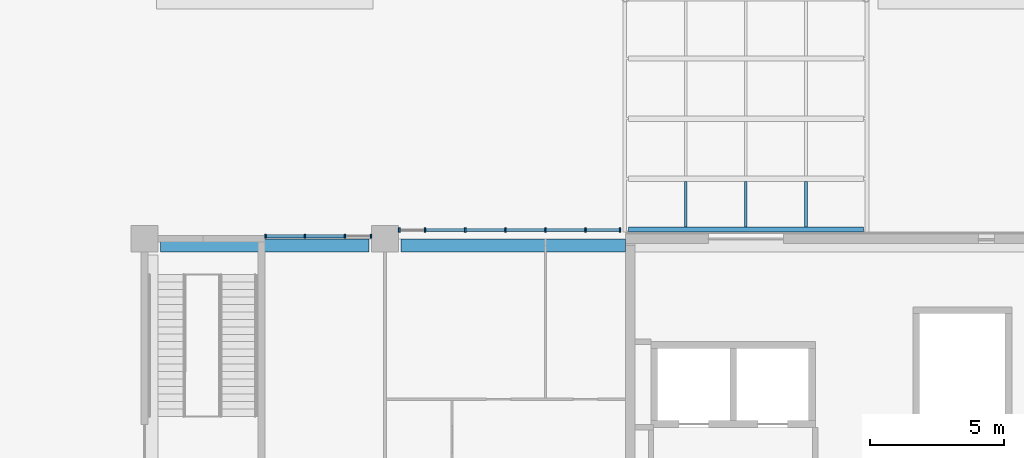
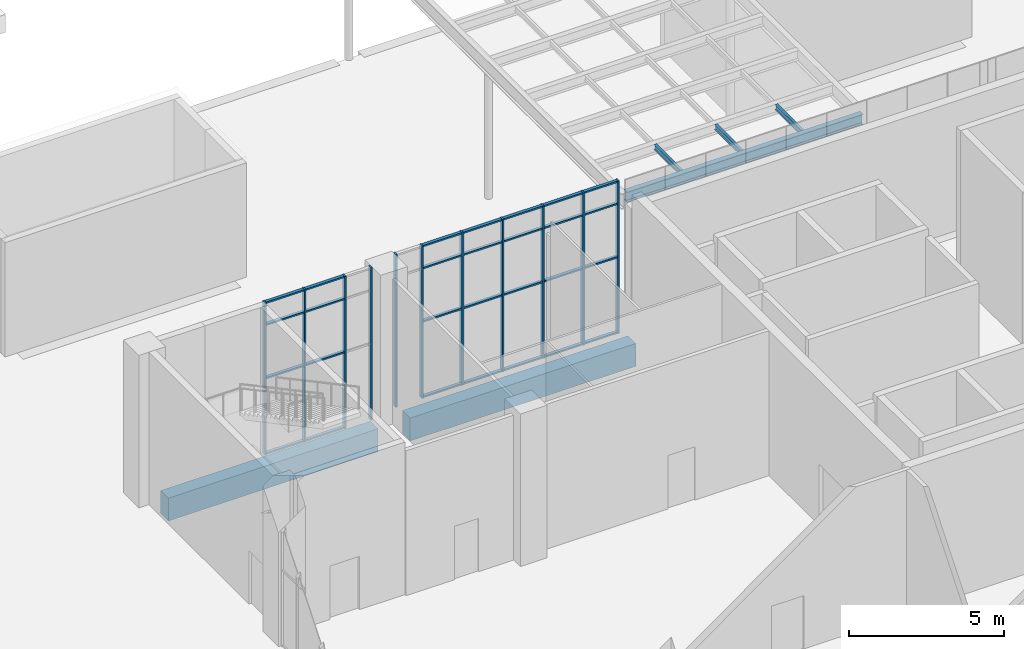
# One storey, part 27 of 86: 42 members, 3 beams, 2 elements without a shape of their own.
"""IFC4 building model written with IfcOpenShell, lengths in metres."""

from ifc_helpers import new_model, si_unit, direction, frame, origin, origin_2d, place, context, subcontext, project, spatial, rectangle, i_section, extrude, material, layer, layer_set, material_profile, profile_set, type_object, element, aggregate, save


model = new_model("IFC4")

# Units and contexts
model_context = context("Model", 3, precision=1e-05, world=origin(), true_north=direction((0.0, 1.0)))
body_context = subcontext(model_context, "Body", "Model", "MODEL_VIEW")
ifc_project = project(units=[si_unit("LENGTHUNIT", "METRE"), si_unit("AREAUNIT", "SQUARE_METRE"), si_unit("VOLUMEUNIT", "CUBIC_METRE"), si_unit("PLANEANGLEUNIT", "RADIAN"), si_unit("MASSUNIT", "GRAM", prefix="KILO")], contexts=[model_context])

# Site, building, storey
site_placement = place(None, origin())
site = spatial("IfcSite", under=ifc_project, at=site_placement, CompositionType="ELEMENT")
building_placement = place(site_placement, origin())
building = spatial("IfcBuilding", under=site, at=building_placement, Name="Guidao Yard Department Store", CompositionType="ELEMENT")
storey_placement = place(building_placement, origin())
storey = spatial("IfcBuildingStorey", under=building, at=storey_placement, Name="L00", CompositionType="ELEMENT", Elevation=0.0)

# Beams
ifc_material_1 = material(Name="Concrete C40", Category="concrete")
ifc_material_profile_1 = material_profile(ifc_material_1, rectangle(XDim=0.5, YDim=0.89990234375, at=origin_2d()), Name="Edge beam 500 x 900 C40")
ifc_profile_set_1 = profile_set([ifc_material_profile_1], Name="Concrete C40")
beam_type_1 = type_object("IfcBeamType", Name="Edge beam 500 x 900 C40", PredefinedType="BEAM", material=ifc_profile_set_1)
beam_1_placement = place(storey_placement, frame((126.60009765625, 26.75, -0.449951171875), z_axis=(1.0, 0.0, 0.0), x_axis=(0.0, 1.0, 0.0)))
element("IfcBeam", 1, at=beam_1_placement, inside=storey, type_object=beam_type_1, Name="Beam FB01", PredefinedType="BEAM", context=body_context, shape_type="SweptSolid", body=[
    extrude(rectangle(XDim=0.5, YDim=0.89990234375, at=origin_2d()), origin(), (0.0, 0.0, 1.0), 7.7998046875),
])
beam_2_placement = place(storey_placement, frame((135.60009765625, 26.75, -0.449951171875), z_axis=(1.0, 0.0, 0.0), x_axis=(0.0, 1.0, 0.0)))
element("IfcBeam", 2, at=beam_2_placement, inside=storey, type_object=beam_type_1, Name="Beam FB02", PredefinedType="BEAM", context=body_context, shape_type="SweptSolid", body=[
    extrude(rectangle(XDim=0.5, YDim=0.89990234375, at=origin_2d()), origin(), (0.0, 0.0, 1.0), 8.39990234375),
])

# Curtain wall, members
ifc_material_2 = material(Name="Aluminium and glass", Category="aluminium")
ifc_layer = layer(ifc_material_2, 0.159912109375)
ifc_layer_set = layer_set([ifc_layer], Name="Unitised curtain wall CW4 1500 module")
curtain_wall_type = type_object("IfcCurtainWallType", Name="Unitised curtain wall CW4 1500 module", PredefinedType="NOTDEFINED", material=ifc_layer_set)
curtain_wall_1_placement = place(storey_placement, origin())
curtain_wall_1 = element("IfcCurtainWall", 3, at=curtain_wall_1_placement, inside=storey, type_object=curtain_wall_type, Name="Unitised curtain wall", PredefinedType="NOTDEFINED")
ifc_material_3 = material(Name="Aluminium 6063-T5", Category="aluminium")
ifc_material_profile_2 = material_profile(ifc_material_3, rectangle(XDim=0.06005859375, YDim=0.159912109375, at=origin_2d()), Name="Mullion M1 60 x 160 aluminium pressure plate")
ifc_profile_set_2 = profile_set([ifc_material_profile_2], Name="Aluminium 6063-T5")
member_type_1 = type_object("IfcMemberType", Name="Mullion M1 60 x 160 aluminium pressure plate", PredefinedType="MULLION", material=ifc_profile_set_2)
member_1_placement = place(storey_placement, frame((130.530029296875, 27.10009765625, 0.0), z_axis=(0.0, 0.0, 1.0), x_axis=(1.0, 0.0, 0.0)))
member_1 = element("IfcMember", 4, at=member_1_placement, type_object=member_type_1, Name="CW-OW-L00-05 mullion 1", PredefinedType="MULLION", context=body_context, shape_type="SweptSolid", body=[
    extrude(rectangle(XDim=0.06005859375, YDim=0.159912109375, at=origin_2d()), origin(), (0.0, 0.0, 1.0), 6.0),
])
member_2_placement = place(storey_placement, frame((132.0, 27.10009765625, 0.0), z_axis=(0.0, 0.0, 1.0), x_axis=(1.0, 0.0, 0.0)))
member_2 = element("IfcMember", 5, at=member_2_placement, type_object=member_type_1, Name="CW-OW-L00-05 mullion 2", PredefinedType="MULLION", context=body_context, shape_type="SweptSolid", body=[
    extrude(rectangle(XDim=0.06005859375, YDim=0.159912109375, at=origin_2d()), origin(), (0.0, 0.0, 1.0), 6.0),
])
member_3_placement = place(storey_placement, frame((133.5, 27.10009765625, 0.0), z_axis=(0.0, 0.0, 1.0), x_axis=(1.0, 0.0, 0.0)))
member_3 = element("IfcMember", 6, at=member_3_placement, type_object=member_type_1, Name="CW-OW-L00-05 mullion 3", PredefinedType="MULLION", context=body_context, shape_type="SweptSolid", body=[
    extrude(rectangle(XDim=0.06005859375, YDim=0.159912109375, at=origin_2d()), origin(), (0.0, 0.0, 1.0), 6.0),
])
member_4_placement = place(storey_placement, frame((134.469970703125, 27.10009765625, 0.0), z_axis=(0.0, 0.0, 1.0), x_axis=(1.0, 0.0, 0.0)))
member_4 = element("IfcMember", 7, at=member_4_placement, type_object=member_type_1, Name="CW-OW-L00-05 mullion 4", PredefinedType="MULLION", context=body_context, shape_type="SweptSolid", body=[
    extrude(rectangle(XDim=0.06005859375, YDim=0.159912109375, at=origin_2d()), origin(), (0.0, 0.0, 1.0), 6.0),
])

curtain_wall_2_placement = place(storey_placement, origin())
curtain_wall_2 = element("IfcCurtainWall", 8, at=curtain_wall_2_placement, inside=storey, type_object=curtain_wall_type, Name="Unitised curtain wall", PredefinedType="NOTDEFINED")
member_5_placement = place(storey_placement, frame((135.530029296875, 27.330078125, 0.0), z_axis=(0.0, 0.0, 1.0), x_axis=(1.0, 0.0, 0.0)))
member_5 = element("IfcMember", 9, at=member_5_placement, type_object=member_type_1, Name="CW-OW-L00-06 mullion 1", PredefinedType="MULLION", context=body_context, shape_type="SweptSolid", body=[
    extrude(rectangle(XDim=0.06005859375, YDim=0.159912109375, at=origin_2d()), origin(), (0.0, 0.0, 1.0), 6.0),
])
member_6_placement = place(storey_placement, frame((136.5, 27.330078125, 0.0), z_axis=(0.0, 0.0, 1.0), x_axis=(1.0, 0.0, 0.0)))
member_6 = element("IfcMember", 10, at=member_6_placement, type_object=member_type_1, Name="CW-OW-L00-06 mullion 2", PredefinedType="MULLION", context=body_context, shape_type="SweptSolid", body=[
    extrude(rectangle(XDim=0.06005859375, YDim=0.159912109375, at=origin_2d()), origin(), (0.0, 0.0, 1.0), 6.0),
])
member_7_placement = place(storey_placement, frame((138.0, 27.330078125, 0.0), z_axis=(0.0, 0.0, 1.0), x_axis=(1.0, 0.0, 0.0)))
member_7 = element("IfcMember", 11, at=member_7_placement, type_object=member_type_1, Name="CW-OW-L00-06 mullion 3", PredefinedType="MULLION", context=body_context, shape_type="SweptSolid", body=[
    extrude(rectangle(XDim=0.06005859375, YDim=0.159912109375, at=origin_2d()), origin(), (0.0, 0.0, 1.0), 6.0),
])
member_8_placement = place(storey_placement, frame((139.5, 27.330078125, 0.0), z_axis=(0.0, 0.0, 1.0), x_axis=(1.0, 0.0, 0.0)))
member_8 = element("IfcMember", 12, at=member_8_placement, type_object=member_type_1, Name="CW-OW-L00-06 mullion 4", PredefinedType="MULLION", context=body_context, shape_type="SweptSolid", body=[
    extrude(rectangle(XDim=0.06005859375, YDim=0.159912109375, at=origin_2d()), origin(), (0.0, 0.0, 1.0), 6.0),
])
member_9_placement = place(storey_placement, frame((141.0, 27.330078125, 0.0), z_axis=(0.0, 0.0, 1.0), x_axis=(1.0, 0.0, 0.0)))
member_9 = element("IfcMember", 13, at=member_9_placement, type_object=member_type_1, Name="CW-OW-L00-06 mullion 5", PredefinedType="MULLION", context=body_context, shape_type="SweptSolid", body=[
    extrude(rectangle(XDim=0.06005859375, YDim=0.159912109375, at=origin_2d()), origin(), (0.0, 0.0, 1.0), 6.0),
])
member_10_placement = place(storey_placement, frame((142.5, 27.330078125, 0.0), z_axis=(0.0, 0.0, 1.0), x_axis=(1.0, 0.0, 0.0)))
member_10 = element("IfcMember", 14, at=member_10_placement, type_object=member_type_1, Name="CW-OW-L00-06 mullion 6", PredefinedType="MULLION", context=body_context, shape_type="SweptSolid", body=[
    extrude(rectangle(XDim=0.06005859375, YDim=0.159912109375, at=origin_2d()), origin(), (0.0, 0.0, 1.0), 6.0),
])
member_11_placement = place(storey_placement, frame((143.794921875, 27.330078125, 0.0), z_axis=(0.0, 0.0, 1.0), x_axis=(1.0, 0.0, 0.0)))
member_11 = element("IfcMember", 15, at=member_11_placement, type_object=member_type_1, Name="CW-OW-L00-06 mullion 7", PredefinedType="MULLION", context=body_context, shape_type="SweptSolid", body=[
    extrude(rectangle(XDim=0.06005859375, YDim=0.159912109375, at=origin_2d()), origin(), (0.0, 0.0, 1.0), 6.0),
])

# Member
ifc_material_4 = material(Name="Aluminium 6063-T5", Category="aluminium")
ifc_material_profile_3 = material_profile(ifc_material_4, rectangle(XDim=0.1201171875, YDim=0.06005859375, at=origin_2d()), Name="Transom T1 60 x 120 aluminium pressure plate")
ifc_profile_set_3 = profile_set([ifc_material_profile_3], Name="Aluminium 6063-T5")
member_type_2 = type_object("IfcMemberType", Name="Transom T1 60 x 120 aluminium pressure plate", PredefinedType="USERDEFINED", material=ifc_profile_set_3)
member_12_placement = place(storey_placement, frame((130.56005859375, 27.10009765625, 0.030029296875), z_axis=(1.0, 0.0, 0.0), x_axis=(0.0, 1.0, 0.0)))
member_12 = element("IfcMember", 16, at=member_12_placement, type_object=member_type_2, Name="CW-OW-L00-05 transom 1.1", ObjectType="TRANSOM", PredefinedType="USERDEFINED", context=body_context, shape_type="SweptSolid", body=[
    extrude(rectangle(XDim=0.1201171875, YDim=0.06005859375, at=origin_2d()), origin(), (0.0, 0.0, 1.0), 1.409912109375),
])

member_13_placement = place(storey_placement, frame((130.56005859375, 27.10009765625, 3.0), z_axis=(1.0, 0.0, 0.0), x_axis=(0.0, 1.0, 0.0)))
member_13 = element("IfcMember", 17, at=member_13_placement, type_object=member_type_2, Name="CW-OW-L00-05 transom 1.2", ObjectType="TRANSOM", PredefinedType="USERDEFINED", context=body_context, shape_type="SweptSolid", body=[
    extrude(rectangle(XDim=0.1201171875, YDim=0.06005859375, at=origin_2d()), origin(), (0.0, 0.0, 1.0), 1.409912109375),
])

member_14_placement = place(storey_placement, frame((130.56005859375, 27.10009765625, 5.10009765625), z_axis=(1.0, 0.0, 0.0), x_axis=(0.0, 1.0, 0.0)))
member_14 = element("IfcMember", 18, at=member_14_placement, type_object=member_type_2, Name="CW-OW-L00-05 transom 1.3", ObjectType="TRANSOM", PredefinedType="USERDEFINED", context=body_context, shape_type="SweptSolid", body=[
    extrude(rectangle(XDim=0.1201171875, YDim=0.06005859375, at=origin_2d()), origin(), (0.0, 0.0, 1.0), 1.409912109375),
])

member_15_placement = place(storey_placement, frame((130.56005859375, 27.10009765625, 5.969970703125), z_axis=(1.0, 0.0, 0.0), x_axis=(0.0, 1.0, 0.0)))
member_15 = element("IfcMember", 19, at=member_15_placement, type_object=member_type_2, Name="CW-OW-L00-05 transom 1.4", ObjectType="TRANSOM", PredefinedType="USERDEFINED", context=body_context, shape_type="SweptSolid", body=[
    extrude(rectangle(XDim=0.1201171875, YDim=0.06005859375, at=origin_2d()), origin(), (0.0, 0.0, 1.0), 1.409912109375),
])

member_16_placement = place(storey_placement, frame((132.030029296875, 27.10009765625, 0.030029296875), z_axis=(1.0, 0.0, 0.0), x_axis=(0.0, 1.0, 0.0)))
member_16 = element("IfcMember", 20, at=member_16_placement, type_object=member_type_2, Name="CW-OW-L00-05 transom 2.1", ObjectType="TRANSOM", PredefinedType="USERDEFINED", context=body_context, shape_type="SweptSolid", body=[
    extrude(rectangle(XDim=0.1201171875, YDim=0.06005859375, at=origin_2d()), origin(), (0.0, 0.0, 1.0), 1.43994140625),
])

member_17_placement = place(storey_placement, frame((132.030029296875, 27.10009765625, 3.0), z_axis=(1.0, 0.0, 0.0), x_axis=(0.0, 1.0, 0.0)))
member_17 = element("IfcMember", 21, at=member_17_placement, type_object=member_type_2, Name="CW-OW-L00-05 transom 2.2", ObjectType="TRANSOM", PredefinedType="USERDEFINED", context=body_context, shape_type="SweptSolid", body=[
    extrude(rectangle(XDim=0.1201171875, YDim=0.06005859375, at=origin_2d()), origin(), (0.0, 0.0, 1.0), 1.43994140625),
])

member_18_placement = place(storey_placement, frame((132.030029296875, 27.10009765625, 5.10009765625), z_axis=(1.0, 0.0, 0.0), x_axis=(0.0, 1.0, 0.0)))
member_18 = element("IfcMember", 22, at=member_18_placement, type_object=member_type_2, Name="CW-OW-L00-05 transom 2.3", ObjectType="TRANSOM", PredefinedType="USERDEFINED", context=body_context, shape_type="SweptSolid", body=[
    extrude(rectangle(XDim=0.1201171875, YDim=0.06005859375, at=origin_2d()), origin(), (0.0, 0.0, 1.0), 1.43994140625),
])

member_19_placement = place(storey_placement, frame((132.030029296875, 27.10009765625, 5.969970703125), z_axis=(1.0, 0.0, 0.0), x_axis=(0.0, 1.0, 0.0)))
member_19 = element("IfcMember", 23, at=member_19_placement, type_object=member_type_2, Name="CW-OW-L00-05 transom 2.4", ObjectType="TRANSOM", PredefinedType="USERDEFINED", context=body_context, shape_type="SweptSolid", body=[
    extrude(rectangle(XDim=0.1201171875, YDim=0.06005859375, at=origin_2d()), origin(), (0.0, 0.0, 1.0), 1.43994140625),
])

aggregate(curtain_wall_1, [member_1, member_2, member_3, member_4, member_12, member_13, member_14, member_15, member_16, member_17, member_18, member_19])

member_20_placement = place(storey_placement, frame((136.530029296875, 27.330078125, 0.030029296875), z_axis=(1.0, 0.0, 0.0), x_axis=(0.0, 1.0, 0.0)))
member_20 = element("IfcMember", 24, at=member_20_placement, type_object=member_type_2, Name="CW-OW-L00-06 transom 2.1", ObjectType="TRANSOM", PredefinedType="USERDEFINED", context=body_context, shape_type="SweptSolid", body=[
    extrude(rectangle(XDim=0.1201171875, YDim=0.06005859375, at=origin_2d()), origin(), (0.0, 0.0, 1.0), 1.43994140625),
])

member_21_placement = place(storey_placement, frame((136.530029296875, 27.330078125, 3.0), z_axis=(1.0, 0.0, 0.0), x_axis=(0.0, 1.0, 0.0)))
member_21 = element("IfcMember", 25, at=member_21_placement, type_object=member_type_2, Name="CW-OW-L00-06 transom 2.2", ObjectType="TRANSOM", PredefinedType="USERDEFINED", context=body_context, shape_type="SweptSolid", body=[
    extrude(rectangle(XDim=0.1201171875, YDim=0.06005859375, at=origin_2d()), origin(), (0.0, 0.0, 1.0), 1.43994140625),
])

member_22_placement = place(storey_placement, frame((136.530029296875, 27.330078125, 5.10009765625), z_axis=(1.0, 0.0, 0.0), x_axis=(0.0, 1.0, 0.0)))
member_22 = element("IfcMember", 26, at=member_22_placement, type_object=member_type_2, Name="CW-OW-L00-06 transom 2.3", ObjectType="TRANSOM", PredefinedType="USERDEFINED", context=body_context, shape_type="SweptSolid", body=[
    extrude(rectangle(XDim=0.1201171875, YDim=0.06005859375, at=origin_2d()), origin(), (0.0, 0.0, 1.0), 1.43994140625),
])

member_23_placement = place(storey_placement, frame((136.530029296875, 27.330078125, 5.969970703125), z_axis=(1.0, 0.0, 0.0), x_axis=(0.0, 1.0, 0.0)))
member_23 = element("IfcMember", 27, at=member_23_placement, type_object=member_type_2, Name="CW-OW-L00-06 transom 2.4", ObjectType="TRANSOM", PredefinedType="USERDEFINED", context=body_context, shape_type="SweptSolid", body=[
    extrude(rectangle(XDim=0.1201171875, YDim=0.06005859375, at=origin_2d()), origin(), (0.0, 0.0, 1.0), 1.43994140625),
])

member_24_placement = place(storey_placement, frame((138.030029296875, 27.330078125, 0.030029296875), z_axis=(1.0, 0.0, 0.0), x_axis=(0.0, 1.0, 0.0)))
member_24 = element("IfcMember", 28, at=member_24_placement, type_object=member_type_2, Name="CW-OW-L00-06 transom 3.1", ObjectType="TRANSOM", PredefinedType="USERDEFINED", context=body_context, shape_type="SweptSolid", body=[
    extrude(rectangle(XDim=0.1201171875, YDim=0.06005859375, at=origin_2d()), origin(), (0.0, 0.0, 1.0), 1.43994140625),
])

member_25_placement = place(storey_placement, frame((138.030029296875, 27.330078125, 3.0), z_axis=(1.0, 0.0, 0.0), x_axis=(0.0, 1.0, 0.0)))
member_25 = element("IfcMember", 29, at=member_25_placement, type_object=member_type_2, Name="CW-OW-L00-06 transom 3.2", ObjectType="TRANSOM", PredefinedType="USERDEFINED", context=body_context, shape_type="SweptSolid", body=[
    extrude(rectangle(XDim=0.1201171875, YDim=0.06005859375, at=origin_2d()), origin(), (0.0, 0.0, 1.0), 1.43994140625),
])

member_26_placement = place(storey_placement, frame((138.030029296875, 27.330078125, 5.10009765625), z_axis=(1.0, 0.0, 0.0), x_axis=(0.0, 1.0, 0.0)))
member_26 = element("IfcMember", 30, at=member_26_placement, type_object=member_type_2, Name="CW-OW-L00-06 transom 3.3", ObjectType="TRANSOM", PredefinedType="USERDEFINED", context=body_context, shape_type="SweptSolid", body=[
    extrude(rectangle(XDim=0.1201171875, YDim=0.06005859375, at=origin_2d()), origin(), (0.0, 0.0, 1.0), 1.43994140625),
])

member_27_placement = place(storey_placement, frame((138.030029296875, 27.330078125, 5.969970703125), z_axis=(1.0, 0.0, 0.0), x_axis=(0.0, 1.0, 0.0)))
member_27 = element("IfcMember", 31, at=member_27_placement, type_object=member_type_2, Name="CW-OW-L00-06 transom 3.4", ObjectType="TRANSOM", PredefinedType="USERDEFINED", context=body_context, shape_type="SweptSolid", body=[
    extrude(rectangle(XDim=0.1201171875, YDim=0.06005859375, at=origin_2d()), origin(), (0.0, 0.0, 1.0), 1.43994140625),
])

member_28_placement = place(storey_placement, frame((139.530029296875, 27.330078125, 0.030029296875), z_axis=(1.0, 0.0, 0.0), x_axis=(0.0, 1.0, 0.0)))
member_28 = element("IfcMember", 32, at=member_28_placement, type_object=member_type_2, Name="CW-OW-L00-06 transom 4.1", ObjectType="TRANSOM", PredefinedType="USERDEFINED", context=body_context, shape_type="SweptSolid", body=[
    extrude(rectangle(XDim=0.1201171875, YDim=0.06005859375, at=origin_2d()), origin(), (0.0, 0.0, 1.0), 1.43994140625),
])

member_29_placement = place(storey_placement, frame((139.530029296875, 27.330078125, 3.0), z_axis=(1.0, 0.0, 0.0), x_axis=(0.0, 1.0, 0.0)))
member_29 = element("IfcMember", 33, at=member_29_placement, type_object=member_type_2, Name="CW-OW-L00-06 transom 4.2", ObjectType="TRANSOM", PredefinedType="USERDEFINED", context=body_context, shape_type="SweptSolid", body=[
    extrude(rectangle(XDim=0.1201171875, YDim=0.06005859375, at=origin_2d()), origin(), (0.0, 0.0, 1.0), 1.43994140625),
])

member_30_placement = place(storey_placement, frame((139.530029296875, 27.330078125, 5.10009765625), z_axis=(1.0, 0.0, 0.0), x_axis=(0.0, 1.0, 0.0)))
member_30 = element("IfcMember", 34, at=member_30_placement, type_object=member_type_2, Name="CW-OW-L00-06 transom 4.3", ObjectType="TRANSOM", PredefinedType="USERDEFINED", context=body_context, shape_type="SweptSolid", body=[
    extrude(rectangle(XDim=0.1201171875, YDim=0.06005859375, at=origin_2d()), origin(), (0.0, 0.0, 1.0), 1.43994140625),
])

member_31_placement = place(storey_placement, frame((139.530029296875, 27.330078125, 5.969970703125), z_axis=(1.0, 0.0, 0.0), x_axis=(0.0, 1.0, 0.0)))
member_31 = element("IfcMember", 35, at=member_31_placement, type_object=member_type_2, Name="CW-OW-L00-06 transom 4.4", ObjectType="TRANSOM", PredefinedType="USERDEFINED", context=body_context, shape_type="SweptSolid", body=[
    extrude(rectangle(XDim=0.1201171875, YDim=0.06005859375, at=origin_2d()), origin(), (0.0, 0.0, 1.0), 1.43994140625),
])

member_32_placement = place(storey_placement, frame((141.030029296875, 27.330078125, 0.030029296875), z_axis=(1.0, 0.0, 0.0), x_axis=(0.0, 1.0, 0.0)))
member_32 = element("IfcMember", 36, at=member_32_placement, type_object=member_type_2, Name="CW-OW-L00-06 transom 5.1", ObjectType="TRANSOM", PredefinedType="USERDEFINED", context=body_context, shape_type="SweptSolid", body=[
    extrude(rectangle(XDim=0.1201171875, YDim=0.06005859375, at=origin_2d()), origin(), (0.0, 0.0, 1.0), 1.43994140625),
])

member_33_placement = place(storey_placement, frame((141.030029296875, 27.330078125, 3.0), z_axis=(1.0, 0.0, 0.0), x_axis=(0.0, 1.0, 0.0)))
member_33 = element("IfcMember", 37, at=member_33_placement, type_object=member_type_2, Name="CW-OW-L00-06 transom 5.2", ObjectType="TRANSOM", PredefinedType="USERDEFINED", context=body_context, shape_type="SweptSolid", body=[
    extrude(rectangle(XDim=0.1201171875, YDim=0.06005859375, at=origin_2d()), origin(), (0.0, 0.0, 1.0), 1.43994140625),
])

member_34_placement = place(storey_placement, frame((141.030029296875, 27.330078125, 5.10009765625), z_axis=(1.0, 0.0, 0.0), x_axis=(0.0, 1.0, 0.0)))
member_34 = element("IfcMember", 38, at=member_34_placement, type_object=member_type_2, Name="CW-OW-L00-06 transom 5.3", ObjectType="TRANSOM", PredefinedType="USERDEFINED", context=body_context, shape_type="SweptSolid", body=[
    extrude(rectangle(XDim=0.1201171875, YDim=0.06005859375, at=origin_2d()), origin(), (0.0, 0.0, 1.0), 1.43994140625),
])

member_35_placement = place(storey_placement, frame((141.030029296875, 27.330078125, 5.969970703125), z_axis=(1.0, 0.0, 0.0), x_axis=(0.0, 1.0, 0.0)))
member_35 = element("IfcMember", 39, at=member_35_placement, type_object=member_type_2, Name="CW-OW-L00-06 transom 5.4", ObjectType="TRANSOM", PredefinedType="USERDEFINED", context=body_context, shape_type="SweptSolid", body=[
    extrude(rectangle(XDim=0.1201171875, YDim=0.06005859375, at=origin_2d()), origin(), (0.0, 0.0, 1.0), 1.43994140625),
])

member_36_placement = place(storey_placement, frame((142.530029296875, 27.330078125, 0.030029296875), z_axis=(1.0, 0.0, 0.0), x_axis=(0.0, 1.0, 0.0)))
member_36 = element("IfcMember", 40, at=member_36_placement, type_object=member_type_2, Name="CW-OW-L00-06 transom 6.1", ObjectType="TRANSOM", PredefinedType="USERDEFINED", context=body_context, shape_type="SweptSolid", body=[
    extrude(rectangle(XDim=0.1201171875, YDim=0.06005859375, at=origin_2d()), origin(), (0.0, 0.0, 1.0), 1.23486328125),
])

member_37_placement = place(storey_placement, frame((142.530029296875, 27.330078125, 3.0), z_axis=(1.0, 0.0, 0.0), x_axis=(0.0, 1.0, 0.0)))
member_37 = element("IfcMember", 41, at=member_37_placement, type_object=member_type_2, Name="CW-OW-L00-06 transom 6.2", ObjectType="TRANSOM", PredefinedType="USERDEFINED", context=body_context, shape_type="SweptSolid", body=[
    extrude(rectangle(XDim=0.1201171875, YDim=0.06005859375, at=origin_2d()), origin(), (0.0, 0.0, 1.0), 1.23486328125),
])

member_38_placement = place(storey_placement, frame((142.530029296875, 27.330078125, 5.10009765625), z_axis=(1.0, 0.0, 0.0), x_axis=(0.0, 1.0, 0.0)))
member_38 = element("IfcMember", 42, at=member_38_placement, type_object=member_type_2, Name="CW-OW-L00-06 transom 6.3", ObjectType="TRANSOM", PredefinedType="USERDEFINED", context=body_context, shape_type="SweptSolid", body=[
    extrude(rectangle(XDim=0.1201171875, YDim=0.06005859375, at=origin_2d()), origin(), (0.0, 0.0, 1.0), 1.23486328125),
])

member_39_placement = place(storey_placement, frame((142.530029296875, 27.330078125, 5.969970703125), z_axis=(1.0, 0.0, 0.0), x_axis=(0.0, 1.0, 0.0)))
member_39 = element("IfcMember", 43, at=member_39_placement, type_object=member_type_2, Name="CW-OW-L00-06 transom 6.4", ObjectType="TRANSOM", PredefinedType="USERDEFINED", context=body_context, shape_type="SweptSolid", body=[
    extrude(rectangle(XDim=0.1201171875, YDim=0.06005859375, at=origin_2d()), origin(), (0.0, 0.0, 1.0), 1.23486328125),
])

aggregate(curtain_wall_2, [member_5, member_6, member_7, member_8, member_9, member_10, member_11, member_20, member_21, member_22, member_23, member_24, member_25, member_26, member_27, member_28, member_29, member_30, member_31, member_32, member_33, member_34, member_35, member_36, member_37, member_38, member_39])

# Beam
ifc_material_5 = material(Name="Steel Q355B", Category="steel")
ifc_material_profile_4 = material_profile(ifc_material_5, i_section(OverallWidth=0.199951171875, OverallDepth=0.39990234375, WebThickness=0.008056640625, FlangeThickness=0.012939453125, FilletRadius=0.012939453125, at=origin_2d()), Name="HN 400x200x8x13")
ifc_profile_set_4 = profile_set([ifc_material_profile_4], Name="Steel Q355B")
beam_type_2 = type_object("IfcBeamType", Name="Walkway beam HN 400x200x8x13", PredefinedType="BEAM", material=ifc_profile_set_4)
beam_3_placement = place(storey_placement, frame((144.10009765625, 27.35009765625, 5.25), z_axis=(1.0, 0.0, 0.0), x_axis=(0.0, 1.0, 0.0)))
element("IfcBeam", 44, at=beam_3_placement, inside=storey, type_object=beam_type_2, Name="Walkway beam 1", PredefinedType="BEAM", context=body_context, shape_type="SweptSolid", body=[
    extrude(i_section(OverallWidth=0.199951171875, OverallDepth=0.39990234375, WebThickness=0.008056640625, FlangeThickness=0.012939453125, FilletRadius=0.012939453125, at=origin_2d()), origin(), (0.0, 0.0, 1.0), 8.7998046875),
])

# Members
ifc_material_6 = material(Name="Steel Q355B", Category="steel")
ifc_material_profile_5 = material_profile(ifc_material_6, i_section(OverallWidth=0.10009765625, OverallDepth=0.199951171875, WebThickness=0.005615234375, FlangeThickness=0.008056640625, FilletRadius=0.008056640625, at=origin_2d()), Name="HN 200x100x5.5x8")
ifc_profile_set_5 = profile_set([ifc_material_profile_5], Name="Steel Q355B")
member_type_3 = type_object("IfcMemberType", Name="Walkway purlin HN 200x100x5.5x8", PredefinedType="PURLIN", material=ifc_profile_set_5)
for number, where, z_axis, x_axis, name in (
    (45, (146.25, 27.449951171875, 5.35009765625), (0.0, 1.0, 0.0), (-1.0, 0.0, 0.0), "Walkway purlin 1-1"),
    (46, (148.5, 27.449951171875, 5.35009765625), (0.0, 1.0, 0.0), (-1.0, 0.0, 0.0), "Walkway purlin 2-1"),
    (47, (150.75, 27.449951171875, 5.35009765625), (0.0, 1.0, 0.0), (-1.0, 0.0, 0.0), "Walkway purlin 3-1"),
):
    element("IfcMember", number, at=place(storey_placement, frame(where, z_axis=z_axis, x_axis=x_axis)), inside=storey, type_object=member_type_3, Name=name, PredefinedType="PURLIN", context=body_context, shape_type="SweptSolid", body=[
        extrude(i_section(OverallWidth=0.10009765625, OverallDepth=0.199951171875, WebThickness=0.005615234375, FlangeThickness=0.008056640625, FilletRadius=0.008056640625, at=origin_2d()), origin(), (0.0, 0.0, 1.0), 1.699951171875),
    ])

save(model, "model.ifc")
